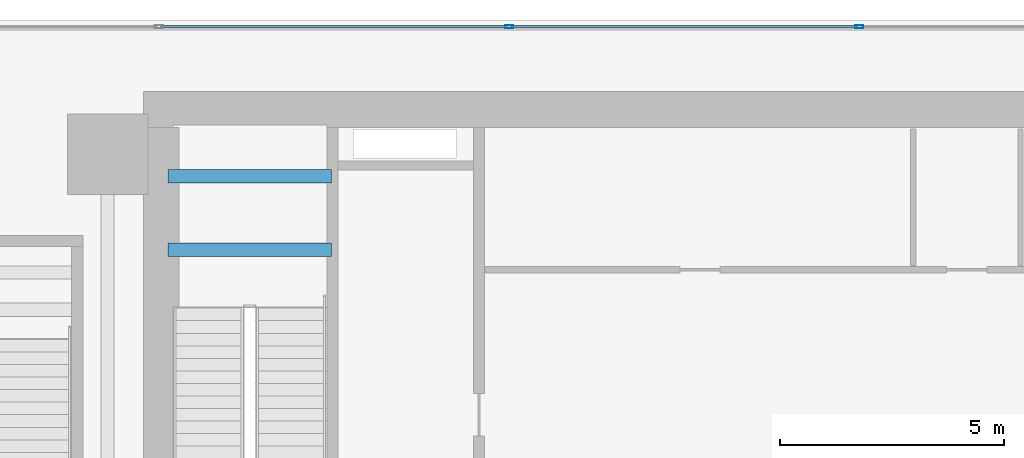
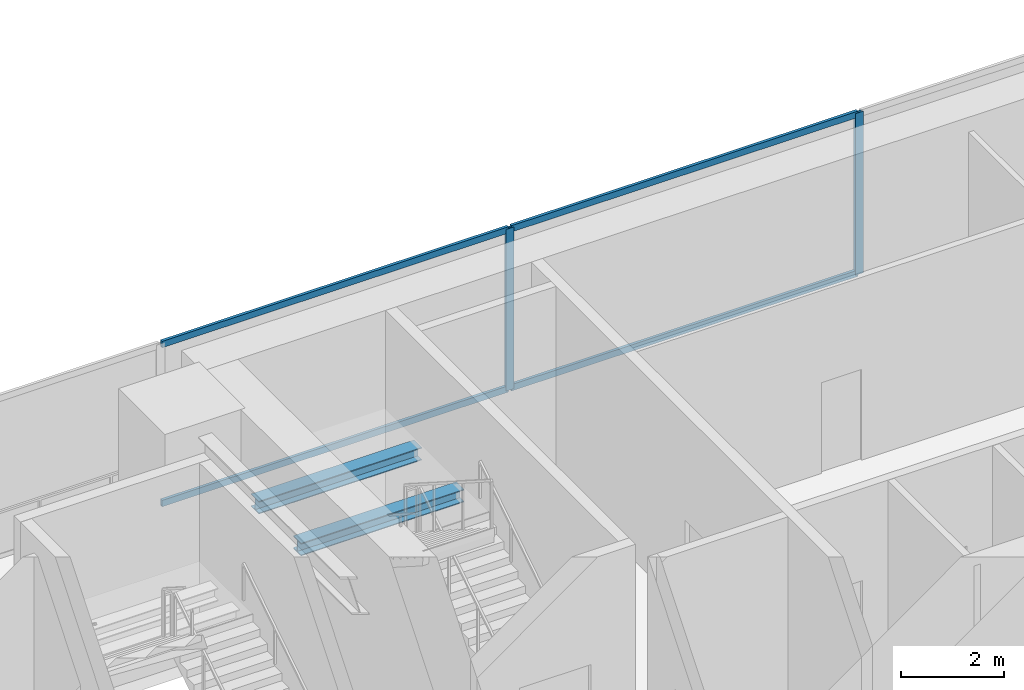
# One storey, part 3 of 15: 6 members, 2 beams, 1 element without a shape of its own.
"""IFC4 building model written with IfcOpenShell, lengths in metres."""

import ifcopenshell
import ifcopenshell.guid

model = None  # the IFC model being written
_history = None  # IfcOwnerHistory: only IFC2X3 demands one
_inside = {}  # id of a spatial element -> (the spatial element, [elements in it])
_under = {}  # id of a project, library or spatial element -> (it, [spatial elements below it])
_declared = {}  # id of a project -> (the project, [libraries it declares])
_typed = {}  # id of a type object -> (the type object, [elements of that type])
_made_of = {}  # id of a material, layer set ... -> (it, [elements and type objects made of it])


def new_model(schema):
    """Start an empty IFC model of exactly this schema.

    Asked for "IFC4X3", IfcOpenShell would pick the latest addendum, in which some entities
    have other attributes; the version numbers below select the first issue.
    IFC2X3 requires an IfcOwnerHistory on every rooted entity: one is made here for all.
    """
    global model, _history
    if schema == "IFC4X3":
        model = ifcopenshell.file(schema_version=(4, 3, 0, 0))
    else:
        model = ifcopenshell.file(schema=schema)
    _inside.clear()
    _under.clear()
    _declared.clear()
    _typed.clear()
    _made_of.clear()
    _history = None
    if model.schema == "IFC2X3":
        org = make("IfcOrganization", Name="unknown")
        user = make(
            "IfcPersonAndOrganization",
            ThePerson=make("IfcPerson", FamilyName="unknown"),
            TheOrganization=org,
        )
        app = make(
            "IfcApplication",
            ApplicationDeveloper=org,
            Version="unknown",
            ApplicationFullName="unknown",
            ApplicationIdentifier="unknown",
        )
        _history = make(
            "IfcOwnerHistory",
            OwningUser=user,
            OwningApplication=app,
            ChangeAction="ADDED",
            CreationDate=0,
        )
    return model


def make(cls, **values):
    """One entity of the class cls with the attributes given. An attribute that is None is left unset."""
    return model.create_entity(
        cls, **{name: value for name, value in values.items() if value is not None}
    )


def rooted(cls, **values):
    """An entity with a GlobalId (a new one), such as an element, a storey or a relation."""
    return make(cls, GlobalId=ifcopenshell.guid.new(), OwnerHistory=_history, **values)


def si_unit(unit_type, name, prefix=None):
    """IfcSIUnit, for example si_unit("LENGTHUNIT", "METRE", prefix="MILLI")."""
    return make("IfcSIUnit", UnitType=unit_type, Prefix=prefix, Name=name)


def assignment(units):
    """IfcUnitAssignment: the units of a project."""
    return None if units is None else make("IfcUnitAssignment", Units=units)


def point(xyz):
    """IfcCartesianPoint."""
    return None if xyz is None else make("IfcCartesianPoint", Coordinates=xyz)


def direction(xyz):
    """IfcDirection."""
    return None if xyz is None else make("IfcDirection", DirectionRatios=xyz)


def frame(location, z_axis=None, x_axis=None):
    """IfcAxis2Placement3D, a coordinate frame: its origin and axes. An axis left out is left unset."""
    return make(
        "IfcAxis2Placement3D",
        Location=point(location),
        Axis=direction(z_axis),
        RefDirection=direction(x_axis),
    )


def frame_2d(location, x_axis=None):
    """IfcAxis2Placement2D, a coordinate frame in the plane: its origin and x axis."""
    return make(
        "IfcAxis2Placement2D", Location=point(location), RefDirection=direction(x_axis)
    )


def origin():
    """The frame at (0, 0, 0) with its axes left unset."""
    return frame((0.0, 0.0, 0.0))


def origin_2d():
    """The frame at (0, 0) in the plane with its x axis left unset."""
    return frame_2d((0.0, 0.0))


def place(relative_to, where):
    """IfcLocalPlacement: puts the frame where relative to a parent placement (None: the world)."""
    return make(
        "IfcLocalPlacement", PlacementRelTo=relative_to, RelativePlacement=where
    )


def context(
    kind, dimensions, precision=None, world=None, true_north=None, identifier=None
):
    """IfcGeometricRepresentationContext, for example the 3D "Model" context."""
    return make(
        "IfcGeometricRepresentationContext",
        ContextIdentifier=identifier,
        ContextType=kind,
        CoordinateSpaceDimension=dimensions,
        Precision=precision,
        WorldCoordinateSystem=world,
        TrueNorth=true_north,
    )


def subcontext(parent, identifier, kind, view, scale=None):
    """IfcGeometricRepresentationSubContext, for example "Body" below "Model"."""
    return make(
        "IfcGeometricRepresentationSubContext",
        ContextIdentifier=identifier,
        ContextType=kind,
        ParentContext=parent,
        TargetScale=scale,
        TargetView=view,
    )


def project(units=None, contexts=None):
    """IfcProject with its units and contexts."""
    return rooted(
        "IfcProject",
        Name="project",
        RepresentationContexts=contexts,
        UnitsInContext=assignment(units),
    )


def spatial(cls, under=None, at=None, **own):
    """A site, building, storey or space (cls), placed at a placement, below another one or the project."""
    s = rooted(cls, ObjectPlacement=at, **own)
    if under is not None:
        _under.setdefault(under.id(), (under, []))[1].append(s)
    return s


def profile(cls, at=None, kind="AREA", **sizes):
    """A parametric profile (cls). Its sizes go by their IFC names, for example OverallWidth=200.0."""
    return make(cls, ProfileType=kind, Position=at, **sizes)


def hollow_rectangle(**sizes):
    """IfcRectangleHollowProfileDef."""
    return profile("IfcRectangleHollowProfileDef", **sizes)


def i_section(**sizes):
    """IfcIShapeProfileDef."""
    return profile("IfcIShapeProfileDef", **sizes)


def extrude(swept, where, along, depth):
    """IfcExtrudedAreaSolid: the profile swept, set in the frame where, extruded along a direction by depth."""
    return make(
        "IfcExtrudedAreaSolid",
        SweptArea=swept,
        Position=where,
        ExtrudedDirection=direction(along),
        Depth=depth,
    )


def shape(context_of_items, identifier, shape_type, items):
    """IfcShapeRepresentation: the items that make up one representation, for example the "Body"."""
    return make(
        "IfcShapeRepresentation",
        ContextOfItems=context_of_items,
        RepresentationIdentifier=identifier,
        RepresentationType=shape_type,
        Items=items,
    )


def source(mapping_origin, context_of_items, identifier, shape_type, items):
    """IfcRepresentationMap: a shape defined once, which mapped items show again and again."""
    return make(
        "IfcRepresentationMap",
        MappingOrigin=mapping_origin,
        MappedRepresentation=shape(context_of_items, identifier, shape_type, items),
    )


def transform(
    local_origin,
    x_axis=None,
    y_axis=None,
    z_axis=None,
    scale=None,
    scale2=None,
    scale3=None,
    uniform=True,
):
    """IfcCartesianTransformationOperator3D, or its non-uniform kind. x_axis, y_axis, z_axis: its Axis1, 2, 3."""
    if uniform:
        return make(
            "IfcCartesianTransformationOperator3D",
            Axis1=direction(x_axis),
            Axis2=direction(y_axis),
            LocalOrigin=point(local_origin),
            Scale=scale,
            Axis3=direction(z_axis),
        )
    return make(
        "IfcCartesianTransformationOperator3DnonUniform",
        Axis1=direction(x_axis),
        Axis2=direction(y_axis),
        LocalOrigin=point(local_origin),
        Scale=scale,
        Axis3=direction(z_axis),
        Scale2=scale2,
        Scale3=scale3,
    )


def mapped(mapping_source, mapping_target):
    """IfcMappedItem: shows the shape of a source again, moved by a transform."""
    return make(
        "IfcMappedItem", MappingSource=mapping_source, MappingTarget=mapping_target
    )


def material(Name=None, Category=None):
    """IfcMaterial."""
    return make("IfcMaterial", Name=Name, Category=Category)


def layer(
    of_material, thickness, ventilated=None, Name=None, Category=None, Priority=None
):
    """IfcMaterialLayer: one layer of a wall or slab, of a material (None: an air gap)."""
    return make(
        "IfcMaterialLayer",
        Material=of_material,
        LayerThickness=thickness,
        IsVentilated=ventilated,
        Name=Name,
        Category=Category,
        Priority=Priority,
    )


def layer_set(layers, Name=None):
    """IfcMaterialLayerSet."""
    return make("IfcMaterialLayerSet", MaterialLayers=layers, LayerSetName=Name)


def material_profile(
    of_material, cross_section, Name=None, Category=None, Priority=None
):
    """IfcMaterialProfile: a cross section and its material."""
    return make(
        "IfcMaterialProfile",
        Name=Name,
        Material=of_material,
        Profile=cross_section,
        Priority=Priority,
        Category=Category,
    )


def profile_set(profiles, Name=None, composite=None):
    """IfcMaterialProfileSet."""
    return make(
        "IfcMaterialProfileSet",
        Name=Name,
        MaterialProfiles=profiles,
        CompositeProfile=composite,
    )


def made_of(thing, what):
    """Note that an element or type object is made of a material, layer set ...; save() writes the relation."""
    if what is not None:
        _made_of.setdefault(what.id(), (what, []))[1].append(thing)
    return thing


def type_object(cls, material=None, **own):
    """A type object (cls), such as IfcWallType, which elements share."""
    return made_of(rooted(cls, **own), material)


def element(
    cls,
    number,
    at=None,
    inside=None,
    cuts=None,
    type_object=None,
    material=None,
    context=None,
    identifier="Body",
    shape_type=None,
    held_by="IfcProductDefinitionShape",
    body=None,
    shapes=None,
    **own,
):
    """One element of the class cls, such as IfcWall. Its Tag is "e" and its number.

    at: its placement. inside: the storey or other place that contains it. cuts: it is an
    opening in that element (IfcRelVoidsElement). A single representation is given by context,
    identifier, shape_type and body (its items); several are given by shapes. held_by: the class
    of the entity that holds the representations. save() writes the other relations.
    """
    e = rooted(cls, Tag="e%d" % number, ObjectPlacement=at, **own)
    if body is not None:
        shapes = [shape(context, identifier, shape_type, body)]
    if shapes is not None:
        e.Representation = make(held_by, Representations=shapes)
    if inside is not None:
        _inside.setdefault(inside.id(), (inside, []))[1].append(e)
    if cuts is not None:
        rooted(
            "IfcRelVoidsElement", RelatingBuildingElement=cuts, RelatedOpeningElement=e
        )
    if type_object is not None:
        _typed.setdefault(type_object.id(), (type_object, []))[1].append(e)
    return made_of(e, material)


def aggregate(whole, parts):
    """IfcRelAggregates: a whole, such as a stair, and the parts it consists of."""
    return rooted("IfcRelAggregates", RelatingObject=whole, RelatedObjects=parts)


def save(model, path):
    """Write the relations noted so far, then the file.

    IfcRelAggregates (storeys below a building ...), IfcRelContainedInSpatialStructure (elements
    in a storey), IfcRelDefinesByType, IfcRelAssociatesMaterial and IfcRelDeclares: one each for
    every whole, place, type object, material and project.
    """
    for whole, parts in _under.values():
        aggregate(whole, parts)
    for where, things in _inside.values():
        rooted(
            "IfcRelContainedInSpatialStructure",
            RelatedElements=things,
            RelatingStructure=where,
        )
    for kind, things in _typed.values():
        rooted("IfcRelDefinesByType", RelatedObjects=things, RelatingType=kind)
    for what, things in _made_of.values():
        rooted("IfcRelAssociatesMaterial", RelatedObjects=things, RelatingMaterial=what)
    for by, libraries in _declared.values():
        rooted("IfcRelDeclares", RelatingContext=by, RelatedDefinitions=libraries)
    model.write(path)


model = new_model("IFC4")

# Units and contexts
model_context = context("Model", 3, precision=1e-05, world=origin(), true_north=direction((0.0, 1.0)))
body_context = subcontext(model_context, "Body", "Model", "MODEL_VIEW")
ifc_project = project(units=[si_unit("LENGTHUNIT", "METRE"), si_unit("AREAUNIT", "SQUARE_METRE"), si_unit("VOLUMEUNIT", "CUBIC_METRE"), si_unit("PLANEANGLEUNIT", "RADIAN"), si_unit("MASSUNIT", "GRAM", prefix="KILO")], contexts=[model_context])

# Site, building, storey
site_placement = place(None, origin())
site = spatial("IfcSite", under=ifc_project, at=site_placement, CompositionType="ELEMENT")
building_placement = place(site_placement, origin())
building = spatial("IfcBuilding", under=site, at=building_placement, Name="Sumidabori Civic Tower", CompositionType="ELEMENT")
storey_placement = place(building_placement, frame((0.0, 0.0, 14.300048828125)))
storey = spatial("IfcBuildingStorey", under=building, at=storey_placement, Name="L03", CompositionType="ELEMENT", Elevation=14.300048828125)

# Beams
ifc_material_1 = material(Name="Steel SN490", Category="steel")
ifc_material_profile_1 = material_profile(ifc_material_1, i_section(OverallWidth=0.300048828125, OverallDepth=0.300048828125, WebThickness=0.010986328125, FlangeThickness=0.01904296875, at=origin_2d()), Name="HE 300 B")
ifc_profile_set_1 = profile_set([ifc_material_profile_1], Name="Steel SN490")
beam_type = type_object("IfcBeamType", Name="BM-LDG-300", PredefinedType="BEAM", material=ifc_profile_set_1)
shared_shape_1 = source(origin(), body_context, "Body", "SweptSolid", [
    extrude(i_section(OverallWidth=0.300048828125, OverallDepth=0.300048828125, WebThickness=0.010986328125, FlangeThickness=0.01904296875, at=origin_2d()), origin(), (0.0, 0.0, 1.0), 3.64990234375),
])
for number, where, z_axis, x_axis, name in (
    (1, (-15.449951171875, 20.668701171875, 1.974853515625), (1.0, 0.0, 0.0), (0.0, 1.0, 0.0), "Stair ST-1 Landing Support Beam L03-1A"),
    (2, (-15.449951171875, 22.3046875, 1.974853515625), (1.0, 0.0, 0.0), (0.0, 1.0, 0.0), "Stair ST-1 Landing Trimmer Beam L03-1B"),
):
    element("IfcBeam", number, at=place(storey_placement, frame(where, z_axis=z_axis, x_axis=x_axis)), inside=storey, type_object=beam_type, Name=name, PredefinedType="BEAM", context=body_context, shape_type="MappedRepresentation", body=[
        mapped(shared_shape_1, transform((0.0, 0.0, 0.0), x_axis=(1.0, 0.0, 0.0), y_axis=(0.0, 1.0, 0.0), z_axis=(0.0, 0.0, 1.0), scale=1.0)),
    ])

# Curtain wall, members
ifc_material_2 = material(Name="Anodised Bronze Aluminium AW-6063-T6", Category="aluminium")
ifc_layer = layer(ifc_material_2, 0.179931640625, Name="Anodised Bronze Aluminium AW-6063-T6")
ifc_layer_set = layer_set([ifc_layer], Name="Anodised Bronze Aluminium AW-6063-T6")
curtain_wall_type = type_object("IfcCurtainWallType", Name="CW-SYS-1", PredefinedType="NOTDEFINED", material=ifc_layer_set)
curtain_wall_placement = place(storey_placement, origin())
curtain_wall = element("IfcCurtainWall", 3, at=curtain_wall_placement, inside=storey, type_object=curtain_wall_type, Name="Curtain Wall CW:L03:NORTH", PredefinedType="NOTDEFINED")
ifc_material_profile_2 = material_profile(ifc_material_2, hollow_rectangle(XDim=0.070068359375, YDim=0.179931640625, WallThickness=0.006103515625, at=origin_2d()), Name="ALU MULLION 180x70")
ifc_profile_set_2 = profile_set([ifc_material_profile_2], Name="Anodised Bronze Aluminium AW-6063-T6")
member_type_1 = type_object("IfcMemberType", Name="CW-MUL-180", PredefinedType="MULLION", material=ifc_profile_set_2)
shared_shape_2 = source(origin(), body_context, "Body", "SweptSolid", [
    extrude(hollow_rectangle(XDim=0.070068359375, YDim=0.179931640625, WallThickness=0.006103515625, at=origin_2d()), origin(), (0.0, 0.0, 1.0), 3.829833984375),
])
member_1_placement = place(storey_placement, frame((-7.824951171875, 25.64990234375, 0.0), z_axis=(0.0, 0.0, 1.0), x_axis=(0.0, 1.0, 0.0)))
member_1 = element("IfcMember", 4, at=member_1_placement, type_object=member_type_1, Name="CW-1 mullion 4", PredefinedType="MULLION", context=body_context, shape_type="MappedRepresentation", body=[
    mapped(shared_shape_2, transform((0.0, 0.0, 0.0), x_axis=(1.0, 0.0, 0.0), y_axis=(0.0, 1.0, 0.0), z_axis=(0.0, 0.0, 1.0), scale=1.0)),
])
member_2_placement = place(storey_placement, frame((0.0, 25.64990234375, 0.0), z_axis=(0.0, 0.0, 1.0), x_axis=(0.0, 1.0, 0.0)))
member_2 = element("IfcMember", 5, at=member_2_placement, type_object=member_type_1, Name="CW-1 mullion 5", PredefinedType="MULLION", context=body_context, shape_type="MappedRepresentation", body=[
    mapped(shared_shape_2, transform((0.0, 0.0, 0.0), x_axis=(1.0, 0.0, 0.0), y_axis=(0.0, 1.0, 0.0), z_axis=(0.0, 0.0, 1.0), scale=1.0)),
])
ifc_material_profile_3 = material_profile(ifc_material_2, hollow_rectangle(XDim=0.06494140625, YDim=0.14990234375, WallThickness=0.0048828125, at=origin_2d()), Name="ALU TRANSOM 150x65")
ifc_profile_set_3 = profile_set([ifc_material_profile_3], Name="Anodised Bronze Aluminium AW-6063-T6")
member_type_2 = type_object("IfcMemberType", Name="CW-TRN-150", PredefinedType="USERDEFINED", material=ifc_profile_set_3)
shared_shape_3 = source(origin(), body_context, "Body", "SweptSolid", [
    extrude(hollow_rectangle(XDim=0.06494140625, YDim=0.14990234375, WallThickness=0.0048828125, at=origin_2d()), origin(), (0.0, 0.0, 1.0), 7.7548828125),
])
member_3_placement = place(storey_placement, frame((-15.614990234375, 25.64990234375, 0.032470703125), z_axis=(1.0, 0.0, 0.0), x_axis=(0.0, 1.0, 0.0)))
member_3 = element("IfcMember", 6, at=member_3_placement, type_object=member_type_2, Name="CW-1 transom 3.1", ObjectType="TRANSOM", PredefinedType="USERDEFINED", context=body_context, shape_type="MappedRepresentation", body=[
    mapped(shared_shape_3, transform((0.0, 0.0, 0.0), x_axis=(1.0, 0.0, 0.0), y_axis=(0.0, 1.0, 0.0), z_axis=(0.0, 0.0, 1.0), scale=1.0)),
])
member_4_placement = place(storey_placement, frame((-15.614990234375, 25.64990234375, 3.79736328125), z_axis=(1.0, 0.0, 0.0), x_axis=(0.0, 1.0, 0.0)))
member_4 = element("IfcMember", 7, at=member_4_placement, type_object=member_type_2, Name="CW-1 transom 3.2", ObjectType="TRANSOM", PredefinedType="USERDEFINED", context=body_context, shape_type="MappedRepresentation", body=[
    mapped(shared_shape_3, transform((0.0, 0.0, 0.0), x_axis=(1.0, 0.0, 0.0), y_axis=(0.0, 1.0, 0.0), z_axis=(0.0, 0.0, 1.0), scale=1.0)),
])
shared_shape_4 = source(origin(), body_context, "Body", "SweptSolid", [
    extrude(hollow_rectangle(XDim=0.06494140625, YDim=0.14990234375, WallThickness=0.0048828125, at=origin_2d()), origin(), (0.0, 0.0, 1.0), 7.755126953125),
])
member_5_placement = place(storey_placement, frame((-7.7900390625, 25.64990234375, 0.032470703125), z_axis=(1.0, 0.0, 0.0), x_axis=(0.0, 1.0, 0.0)))
member_5 = element("IfcMember", 8, at=member_5_placement, type_object=member_type_2, Name="CW-1 transom 4.1", ObjectType="TRANSOM", PredefinedType="USERDEFINED", context=body_context, shape_type="MappedRepresentation", body=[
    mapped(shared_shape_4, transform((0.0, 0.0, 0.0), x_axis=(1.0, 0.0, 0.0), y_axis=(0.0, 1.0, 0.0), z_axis=(0.0, 0.0, 1.0), scale=1.0)),
])
member_6_placement = place(storey_placement, frame((-7.7900390625, 25.64990234375, 3.79736328125), z_axis=(1.0, 0.0, 0.0), x_axis=(0.0, 1.0, 0.0)))
member_6 = element("IfcMember", 9, at=member_6_placement, type_object=member_type_2, Name="CW-1 transom 4.2", ObjectType="TRANSOM", PredefinedType="USERDEFINED", context=body_context, shape_type="MappedRepresentation", body=[
    mapped(shared_shape_4, transform((0.0, 0.0, 0.0), x_axis=(1.0, 0.0, 0.0), y_axis=(0.0, 1.0, 0.0), z_axis=(0.0, 0.0, 1.0), scale=1.0)),
])
aggregate(curtain_wall, [member_1, member_2, member_3, member_4, member_5, member_6])

save(model, "model.ifc")
